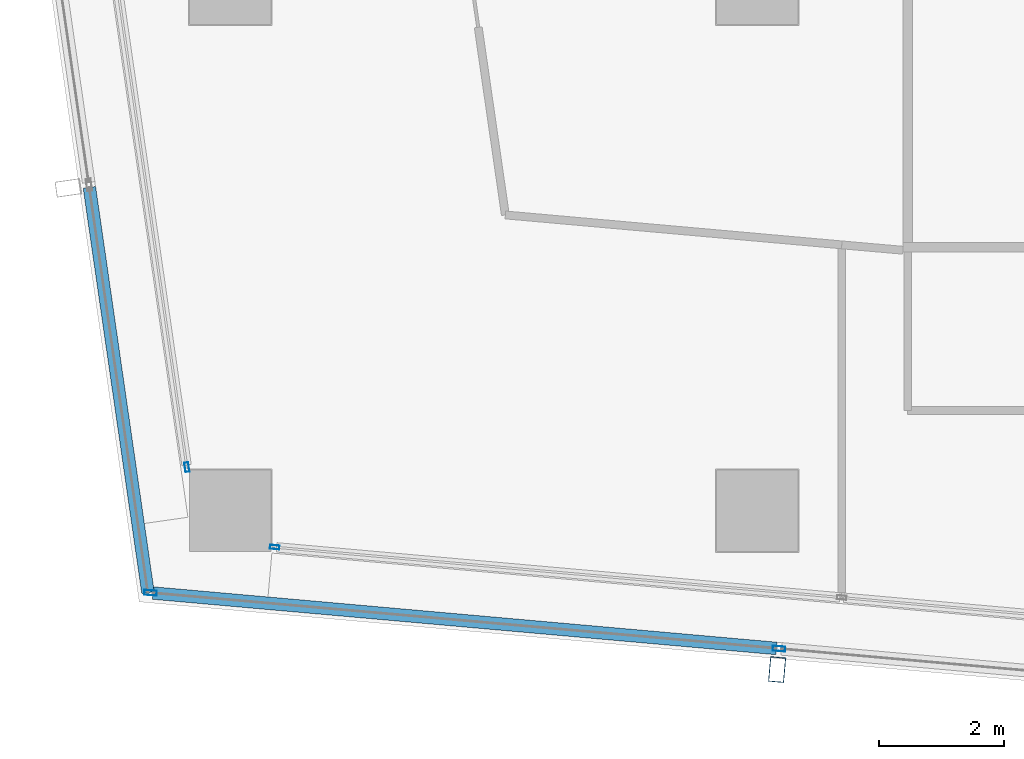
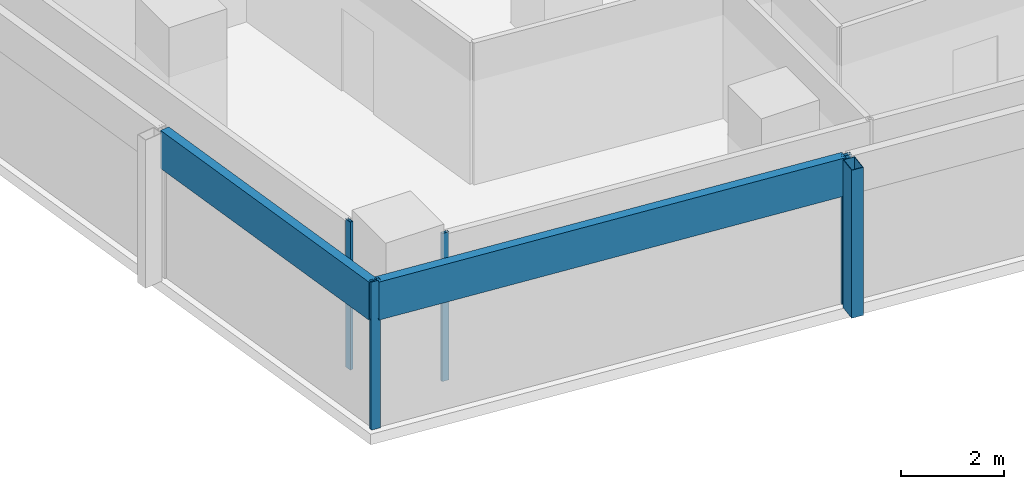
# One storey, part 2 of 29: 7 members, 4 elements without a shape of their own.
"""IFC4 building model written with IfcOpenShell, lengths in metres."""

from ifc_helpers import new_model, si_unit, direction, frame, origin, origin_2d, place, context, subcontext, project, spatial, hollow_rectangle, extrude, material, material_profile, profile_set, type_object, element, aggregate, save


model = new_model("IFC4")

# Units and contexts
model_context = context("Model", 3, precision=1e-05, world=origin(), true_north=direction((0.0, 1.0)))
body_context = subcontext(model_context, "Body", "Model", "MODEL_VIEW")
ifc_project = project(units=[si_unit("LENGTHUNIT", "METRE"), si_unit("AREAUNIT", "SQUARE_METRE"), si_unit("VOLUMEUNIT", "CUBIC_METRE"), si_unit("PLANEANGLEUNIT", "RADIAN"), si_unit("MASSUNIT", "GRAM", prefix="KILO")], contexts=[model_context])

# Site, building, storey
site_placement = place(None, origin())
site = spatial("IfcSite", under=ifc_project, at=site_placement, CompositionType="ELEMENT")
building_placement = place(site_placement, origin())
building = spatial("IfcBuilding", under=site, at=building_placement, Name="Rekha Terrace Tower", CompositionType="ELEMENT")
storey_placement = place(building_placement, frame((0.0, 0.0, 280.10009765625)))
storey = spatial("IfcBuildingStorey", under=building, at=storey_placement, Name="L71", CompositionType="ELEMENT", Elevation=280.10009765625)

# Curtain wall, member
ifc_material_1 = material(Name="Aluminium framing", Category="aluminium")
curtain_wall_type_1 = type_object("IfcCurtainWallType", Name="CW2 double skin outer glazing", PredefinedType="USERDEFINED", material=ifc_material_1)
curtain_wall_1_placement = place(storey_placement, origin())
curtain_wall_1 = element("IfcCurtainWall", 1, at=curtain_wall_1_placement, inside=storey, type_object=curtain_wall_type_1, Name="CW2 double skin outer glazing", ObjectType="DOUBLE SKIN OUTER GLAZING", PredefinedType="USERDEFINED")
ifc_material_2 = material(Name="Steel S355 with fluorocarbon finish", Category="steel")
ifc_material_profile_1 = material_profile(ifc_material_2, hollow_rectangle(XDim=0.25, YDim=0.39990234375, WallThickness=0.012451171875, at=origin_2d()), Name="RHS400x250x12.5")
ifc_profile_set_1 = profile_set([ifc_material_profile_1], Name="Steel S355 with fluorocarbon finish")
member_type_1 = type_object("IfcMemberType", Name="BL1 facade blade RHS 400 x 250", PredefinedType="USERDEFINED", material=ifc_profile_set_1)
member_1_placement = place(storey_placement, frame((17.118896484375, 14.2705078125, 0.0), z_axis=(0.0, 0.0, 1.0), x_axis=(0.996074197996, -0.088522268879, 0.0)))
member_1 = element("IfcMember", 2, at=member_1_placement, type_object=member_type_1, Name="Facade blade", ObjectType="FACADE BLADE", PredefinedType="USERDEFINED", context=body_context, shape_type="SweptSolid", body=[
    extrude(hollow_rectangle(XDim=0.25, YDim=0.39990234375, WallThickness=0.012451171875, at=origin_2d()), origin(), (0.0, 0.0, 1.0), 3.5),
])

curtain_wall_type_2 = type_object("IfcCurtainWallType", Name="CW1 double skin inner glazing", PredefinedType="USERDEFINED", material=ifc_material_1)
curtain_wall_2_placement = place(storey_placement, origin())
curtain_wall_2 = element("IfcCurtainWall", 3, at=curtain_wall_2_placement, inside=storey, type_object=curtain_wall_type_2, Name="CW1 double skin inner glazing", ObjectType="DOUBLE SKIN INNER GLAZING", PredefinedType="USERDEFINED")
ifc_material_3 = material(Name="Aluminium mullion section", Category="aluminium")
ifc_material_profile_2 = material_profile(ifc_material_3, hollow_rectangle(XDim=0.06494140625, YDim=0.14990234375, WallThickness=0.00390625, at=origin_2d()), Name="AL RHS 65x150")
ifc_profile_set_2 = profile_set([ifc_material_profile_2], Name="Aluminium mullion section")
member_type_2 = type_object("IfcMemberType", Name="CW1 mullion RHS 65 x 150", PredefinedType="MULLION", material=ifc_profile_set_2)
member_2_placement = place(storey_placement, frame((9.109130859375, 16.222412109375, 0.0), z_axis=(0.0, 0.0, 1.0), x_axis=(0.088522441405, 0.996074182663, 0.0)))
member_2 = element("IfcMember", 4, at=member_2_placement, type_object=member_type_2, Name="CW1 mullion 1", PredefinedType="MULLION", context=body_context, shape_type="SweptSolid", body=[
    extrude(hollow_rectangle(XDim=0.06494140625, YDim=0.14990234375, WallThickness=0.00390625, at=origin_2d()), origin(), (0.0, 0.0, 1.0), 3.5),
])
aggregate(curtain_wall_2, [member_2])

curtain_wall_3_placement = place(storey_placement, origin())
curtain_wall_3 = element("IfcCurtainWall", 5, at=curtain_wall_3_placement, inside=storey, type_object=curtain_wall_type_2, Name="CW1 double skin inner glazing", ObjectType="DOUBLE SKIN INNER GLAZING", PredefinedType="USERDEFINED")
member_3_placement = place(storey_placement, frame((7.71044921875, 17.497314453125, 0.0), z_axis=(0.0, 0.0, 1.0), x_axis=(0.989707031394, 0.143108322643, 0.0)))
member_3 = element("IfcMember", 6, at=member_3_placement, type_object=member_type_2, Name="CW1 mullion 2", PredefinedType="MULLION", context=body_context, shape_type="SweptSolid", body=[
    extrude(hollow_rectangle(XDim=0.06494140625, YDim=0.14990234375, WallThickness=0.00390625, at=origin_2d()), origin(), (0.0, 0.0, 1.0), 3.5),
])
aggregate(curtain_wall_3, [member_3])

# Member
ifc_material_profile_3 = material_profile(ifc_material_3, hollow_rectangle(XDim=0.080078125, YDim=0.199951171875, WallThickness=0.00390625, at=origin_2d()), Name="AL RHS 80x200")
ifc_profile_set_3 = profile_set([ifc_material_profile_3], Name="Aluminium mullion section")
member_type_3 = type_object("IfcMemberType", Name="CW2 mullion RHS 80 x 200", PredefinedType="MULLION", material=ifc_profile_set_3)
member_4_placement = place(storey_placement, frame((7.130126953125, 15.49462890625, 0.0), z_axis=(0.0, 0.0, 1.0), x_axis=(0.088522441457, 0.996074182658, 0.0)))
member_4 = element("IfcMember", 7, at=member_4_placement, type_object=member_type_3, Name="CW2 mullion 1", PredefinedType="MULLION", context=body_context, shape_type="SweptSolid", body=[
    extrude(hollow_rectangle(XDim=0.080078125, YDim=0.199951171875, WallThickness=0.00390625, at=origin_2d()), origin(), (0.0, 0.0, 1.0), 3.5),
])

member_5_placement = place(storey_placement, frame((17.1484375, 14.604248046875, 0.0), z_axis=(0.0, 0.0, 1.0), x_axis=(0.088522441457, 0.996074182658, 0.0)))
member_5 = element("IfcMember", 8, at=member_5_placement, type_object=member_type_3, Name="CW2 mullion 2", PredefinedType="MULLION", context=body_context, shape_type="SweptSolid", body=[
    extrude(hollow_rectangle(XDim=0.080078125, YDim=0.199951171875, WallThickness=0.00390625, at=origin_2d()), origin(), (0.0, 0.0, 1.0), 3.5),
])

ifc_material_4 = material(Name="Insulated aluminium spandrel box", Category="aluminium")
ifc_material_profile_4 = material_profile(ifc_material_4, hollow_rectangle(XDim=0.199951171875, YDim=0.89990234375, WallThickness=0.0029296875, at=origin_2d()), Name="AL SPANDREL BOX 200x900")
ifc_profile_set_4 = profile_set([ifc_material_profile_4], Name="Insulated aluminium spandrel box")
member_type_4 = type_object("IfcMemberType", Name="CW2 spandrel transom 200 x 900", PredefinedType="USERDEFINED", material=ifc_profile_set_4)
member_6_placement = place(storey_placement, frame((7.169921875, 15.490966796875, 3.0498046875), z_axis=(0.996076044645, -0.088501487472, 0.0), x_axis=(0.088501487472, 0.996076044645, 0.0)))
member_6 = element("IfcMember", 9, at=member_6_placement, type_object=member_type_4, Name="CW2 spandrel transom 1", ObjectType="TRANSOM", PredefinedType="USERDEFINED", context=body_context, shape_type="SweptSolid", body=[
    extrude(hollow_rectangle(XDim=0.199951171875, YDim=0.89990234375, WallThickness=0.0029296875, at=origin_2d()), origin(), (0.0, 0.0, 1.0), 9.977783203125),
])

aggregate(curtain_wall_1, [member_4, member_5, member_6, member_1])

# Curtain wall, member
curtain_wall_4_placement = place(storey_placement, origin())
curtain_wall_4 = element("IfcCurtainWall", 10, at=curtain_wall_4_placement, inside=storey, type_object=curtain_wall_type_1, Name="CW2 double skin outer glazing", ObjectType="DOUBLE SKIN OUTER GLAZING", PredefinedType="USERDEFINED")
member_7_placement = place(storey_placement, frame((6.15625, 21.95703125, 3.0498046875), z_axis=(0.143128512687, -0.989704111771, 0.0), x_axis=(0.989704111771, 0.143128512687, 0.0)))
member_7 = element("IfcMember", 11, at=member_7_placement, type_object=member_type_4, Name="CW2 spandrel transom 2", ObjectType="TRANSOM", PredefinedType="USERDEFINED", context=body_context, shape_type="SweptSolid", body=[
    extrude(hollow_rectangle(XDim=0.199951171875, YDim=0.89990234375, WallThickness=0.0029296875, at=origin_2d()), origin(), (0.0, 0.0, 1.0), 6.526123046875),
])
aggregate(curtain_wall_4, [member_7])

save(model, "model.ifc")
